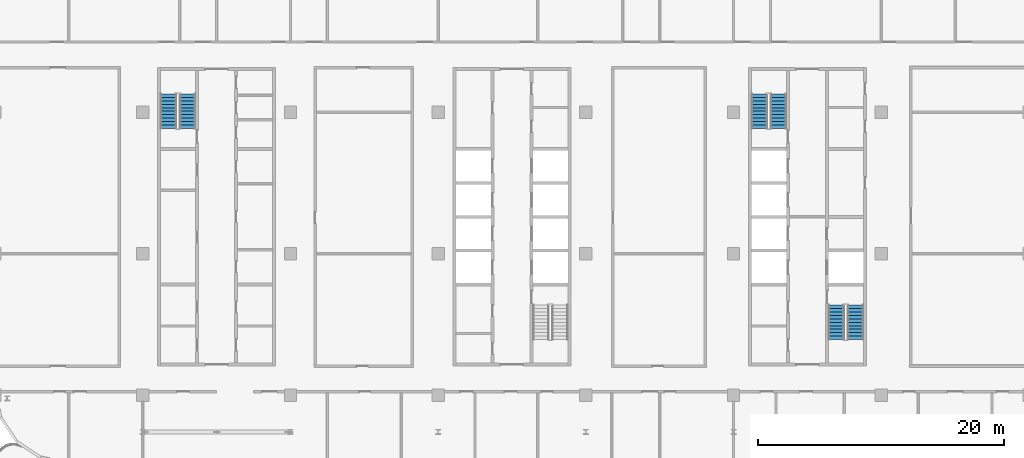
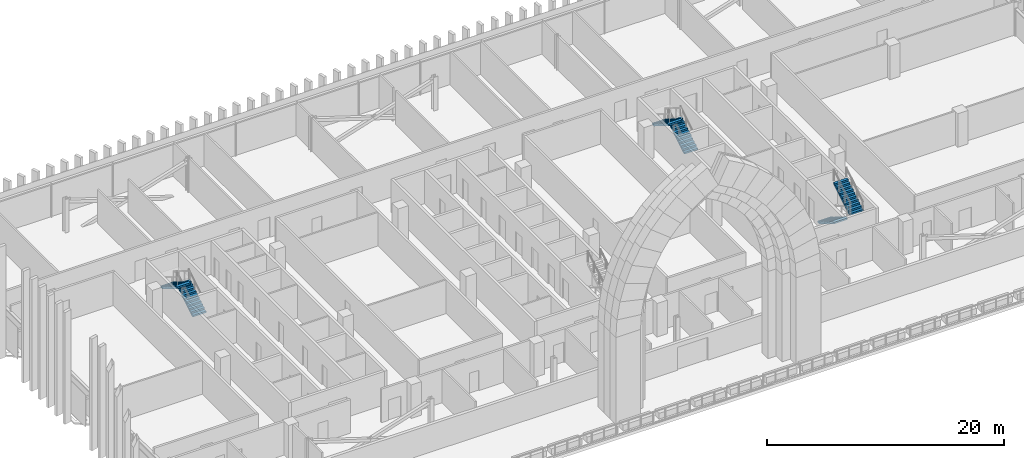
# One storey, part 17 of 30: 6 stair flights, 3 elements without a shape of their own.
"""IFC4 building model written with IfcOpenShell, lengths in metres."""

from ifc_helpers import new_model, si_unit, direction, frame, origin, place, context, subcontext, project, spatial, polyline, outline, extrude, material, type_object, element, aggregate, save


model = new_model("IFC4")

# Units and contexts
model_context = context("Model", 3, precision=1e-05, world=origin(), true_north=direction((0.0, 1.0)))
body_context = subcontext(model_context, "Body", "Model", "MODEL_VIEW")
ifc_project = project(units=[si_unit("LENGTHUNIT", "METRE"), si_unit("AREAUNIT", "SQUARE_METRE"), si_unit("VOLUMEUNIT", "CUBIC_METRE"), si_unit("PLANEANGLEUNIT", "RADIAN"), si_unit("MASSUNIT", "GRAM", prefix="KILO")], contexts=[model_context])

# Site, building, storey
site_placement = place(None, origin())
site = spatial("IfcSite", under=ifc_project, at=site_placement, CompositionType="ELEMENT")
building_placement = place(site_placement, origin())
building = spatial("IfcBuilding", under=site, at=building_placement, Name="Mahtab Terrace Research Tower", CompositionType="ELEMENT")
storey_placement = place(building_placement, frame((0.0, 0.0, 228.60009765625)))
storey = spatial("IfcBuildingStorey", under=building, at=storey_placement, Name="L55", CompositionType="ELEMENT", Elevation=228.60009765625)

# Stair, stair flights
ifc_material_1 = material(Name="Exit stair half-turn")
stair_type = type_object("IfcStairType", Name="Exit stair half-turn", PredefinedType="HALF_TURN_STAIR", material=ifc_material_1)
stair_1_placement = place(storey_placement, origin())
stair_1 = element("IfcStair", 1, at=stair_1_placement, inside=storey, type_object=stair_type, Name="L55 Protected exit stair ST1", PredefinedType="HALF_TURN_STAIR")
ifc_material_2 = material(Name="Concrete C40/50", Category="concrete")
stair_flight_type = type_object("IfcStairFlightType", Name="Exit stair flight 1300", PredefinedType="STRAIGHT", material=ifc_material_2)
stair_flight_1_placement = place(storey_placement, frame((-26.35009765625, 10.175048828125, 0.0), z_axis=(0.0, 0.0, 1.0), x_axis=(0.0, 1.0, 0.0)))
stair_flight_1 = element("IfcStairFlight", 2, at=stair_flight_1_placement, type_object=stair_flight_type, Name="ST1 flight 1", NumberOfRisers=11, NumberOfTreads=10, PredefinedType="STRAIGHT", RiserHeight=0.172727273, TreadLength=0.28, context=body_context, shape_type="SweptSolid", body=[
    extrude(outline(polyline([(0.0, 0.0), (0.0, 0.172607421875), (0.280029296875, 0.172607421875), (0.280029296875, 0.345458984375), (0.56005859375, 0.345458984375), (0.56005859375, 0.51806640625), (0.840087890625, 0.51806640625), (0.840087890625, 0.69091796875), (1.1201171875, 0.69091796875), (1.1201171875, 0.863525390625), (1.39990234375, 0.863525390625), (1.39990234375, 1.036376953125), (1.679931640625, 1.036376953125), (1.679931640625, 1.208984375), (1.9599609375, 1.208984375), (1.9599609375, 1.3818359375), (2.239990234375, 1.3818359375), (2.239990234375, 1.554443359375), (2.52001953125, 1.554443359375), (2.52001953125, 1.727294921875), (2.800048828125, 1.727294921875), (2.800048828125, 1.89990234375), (2.800048828125, 1.551025390625), (0.285400390625, 0.0), (0.0, 0.0)])), frame((0.0, 0.64990234375, 0.0), z_axis=(0.0, -1.0, 0.0), x_axis=(1.0, 0.0, 0.0)), (0.0, 0.0, 1.0), 1.300048828125),
])
stair_flight_2_placement = place(storey_placement, frame((-27.89990234375, 12.97509765625, 1.89990234375), z_axis=(0.0, 0.0, 1.0), x_axis=(0.0, -1.0, 0.0)))
stair_flight_2 = element("IfcStairFlight", 3, at=stair_flight_2_placement, type_object=stair_flight_type, Name="ST1 flight 2", NumberOfRisers=11, NumberOfTreads=10, PredefinedType="STRAIGHT", RiserHeight=0.172727273, TreadLength=0.28, context=body_context, shape_type="SweptSolid", body=[
    extrude(outline(polyline([(0.0, 0.0), (0.0, 0.172607421875), (0.280029296875, 0.172607421875), (0.280029296875, 0.345458984375), (0.56005859375, 0.345458984375), (0.56005859375, 0.51806640625), (0.840087890625, 0.51806640625), (0.840087890625, 0.69091796875), (1.1201171875, 0.69091796875), (1.1201171875, 0.863525390625), (1.39990234375, 0.863525390625), (1.39990234375, 1.036376953125), (1.679931640625, 1.036376953125), (1.679931640625, 1.208984375), (1.9599609375, 1.208984375), (1.9599609375, 1.3818359375), (2.239990234375, 1.3818359375), (2.239990234375, 1.554443359375), (2.52001953125, 1.554443359375), (2.52001953125, 1.727294921875), (2.800048828125, 1.727294921875), (2.800048828125, 1.89990234375), (2.800048828125, 1.551025390625), (0.285400390625, 0.0), (0.0, 0.0)])), frame((0.0, 0.64990234375, 0.0), z_axis=(0.0, -1.0, 0.0), x_axis=(1.0, 0.0, 0.0)), (0.0, 0.0, 1.0), 1.300048828125),
])
aggregate(stair_1, [stair_flight_1, stair_flight_2])

stair_2_placement = place(storey_placement, origin())
stair_2 = element("IfcStair", 4, at=stair_2_placement, inside=storey, type_object=stair_type, Name="L55 Protected exit stair ST3", PredefinedType="HALF_TURN_STAIR")
stair_flight_3_placement = place(storey_placement, frame((21.64990234375, 10.175048828125, 0.0), z_axis=(0.0, 0.0, 1.0), x_axis=(0.0, 1.0, 0.0)))
stair_flight_3 = element("IfcStairFlight", 5, at=stair_flight_3_placement, type_object=stair_flight_type, Name="ST3 flight 1", NumberOfRisers=11, NumberOfTreads=10, PredefinedType="STRAIGHT", RiserHeight=0.172727273, TreadLength=0.28, context=body_context, shape_type="SweptSolid", body=[
    extrude(outline(polyline([(0.0, 0.0), (0.0, 0.172607421875), (0.280029296875, 0.172607421875), (0.280029296875, 0.345458984375), (0.56005859375, 0.345458984375), (0.56005859375, 0.51806640625), (0.840087890625, 0.51806640625), (0.840087890625, 0.69091796875), (1.1201171875, 0.69091796875), (1.1201171875, 0.863525390625), (1.39990234375, 0.863525390625), (1.39990234375, 1.036376953125), (1.679931640625, 1.036376953125), (1.679931640625, 1.208984375), (1.9599609375, 1.208984375), (1.9599609375, 1.3818359375), (2.239990234375, 1.3818359375), (2.239990234375, 1.554443359375), (2.52001953125, 1.554443359375), (2.52001953125, 1.727294921875), (2.800048828125, 1.727294921875), (2.800048828125, 1.89990234375), (2.800048828125, 1.551025390625), (0.285400390625, 0.0), (0.0, 0.0)])), frame((0.0, 0.64990234375, 0.0), z_axis=(0.0, -1.0, 0.0), x_axis=(1.0, 0.0, 0.0)), (0.0, 0.0, 1.0), 1.300048828125),
])
stair_flight_4_placement = place(storey_placement, frame((20.10009765625, 12.97509765625, 1.89990234375), z_axis=(0.0, 0.0, 1.0), x_axis=(0.0, -1.0, 0.0)))
stair_flight_4 = element("IfcStairFlight", 6, at=stair_flight_4_placement, type_object=stair_flight_type, Name="ST3 flight 2", NumberOfRisers=11, NumberOfTreads=10, PredefinedType="STRAIGHT", RiserHeight=0.172727273, TreadLength=0.28, context=body_context, shape_type="SweptSolid", body=[
    extrude(outline(polyline([(0.0, 0.0), (0.0, 0.172607421875), (0.280029296875, 0.172607421875), (0.280029296875, 0.345458984375), (0.56005859375, 0.345458984375), (0.56005859375, 0.51806640625), (0.840087890625, 0.51806640625), (0.840087890625, 0.69091796875), (1.1201171875, 0.69091796875), (1.1201171875, 0.863525390625), (1.39990234375, 0.863525390625), (1.39990234375, 1.036376953125), (1.679931640625, 1.036376953125), (1.679931640625, 1.208984375), (1.9599609375, 1.208984375), (1.9599609375, 1.3818359375), (2.239990234375, 1.3818359375), (2.239990234375, 1.554443359375), (2.52001953125, 1.554443359375), (2.52001953125, 1.727294921875), (2.800048828125, 1.727294921875), (2.800048828125, 1.89990234375), (2.800048828125, 1.551025390625), (0.285400390625, 0.0), (0.0, 0.0)])), frame((0.0, 0.64990234375, 0.0), z_axis=(0.0, -1.0, 0.0), x_axis=(1.0, 0.0, 0.0)), (0.0, 0.0, 1.0), 1.300048828125),
])
aggregate(stair_2, [stair_flight_3, stair_flight_4])

stair_3_placement = place(storey_placement, origin())
stair_3 = element("IfcStair", 7, at=stair_3_placement, inside=storey, type_object=stair_type, Name="L55 Protected exit stair ST4", PredefinedType="HALF_TURN_STAIR")
stair_flight_5_placement = place(storey_placement, frame((26.35009765625, -4.175048828125, 0.0), z_axis=(0.0, 0.0, 1.0), x_axis=(0.0, -1.0, 0.0)))
stair_flight_5 = element("IfcStairFlight", 8, at=stair_flight_5_placement, type_object=stair_flight_type, Name="ST4 flight 1", NumberOfRisers=11, NumberOfTreads=10, PredefinedType="STRAIGHT", RiserHeight=0.172727273, TreadLength=0.28, context=body_context, shape_type="SweptSolid", body=[
    extrude(outline(polyline([(0.0, 0.0), (0.0, 0.172607421875), (0.280029296875, 0.172607421875), (0.280029296875, 0.345458984375), (0.56005859375, 0.345458984375), (0.56005859375, 0.51806640625), (0.840087890625, 0.51806640625), (0.840087890625, 0.69091796875), (1.1201171875, 0.69091796875), (1.1201171875, 0.863525390625), (1.39990234375, 0.863525390625), (1.39990234375, 1.036376953125), (1.679931640625, 1.036376953125), (1.679931640625, 1.208984375), (1.9599609375, 1.208984375), (1.9599609375, 1.3818359375), (2.239990234375, 1.3818359375), (2.239990234375, 1.554443359375), (2.52001953125, 1.554443359375), (2.52001953125, 1.727294921875), (2.800048828125, 1.727294921875), (2.800048828125, 1.89990234375), (2.800048828125, 1.551025390625), (0.285400390625, 0.0), (0.0, 0.0)])), frame((0.0, 0.64990234375, 0.0), z_axis=(0.0, -1.0, 0.0), x_axis=(1.0, 0.0, 0.0)), (0.0, 0.0, 1.0), 1.300048828125),
])
stair_flight_6_placement = place(storey_placement, frame((27.89990234375, -6.97509765625, 1.89990234375), z_axis=(0.0, 0.0, 1.0), x_axis=(0.0, 1.0, 0.0)))
stair_flight_6 = element("IfcStairFlight", 9, at=stair_flight_6_placement, type_object=stair_flight_type, Name="ST4 flight 2", NumberOfRisers=11, NumberOfTreads=10, PredefinedType="STRAIGHT", RiserHeight=0.172727273, TreadLength=0.28, context=body_context, shape_type="SweptSolid", body=[
    extrude(outline(polyline([(0.0, 0.0), (0.0, 0.172607421875), (0.280029296875, 0.172607421875), (0.280029296875, 0.345458984375), (0.56005859375, 0.345458984375), (0.56005859375, 0.51806640625), (0.840087890625, 0.51806640625), (0.840087890625, 0.69091796875), (1.1201171875, 0.69091796875), (1.1201171875, 0.863525390625), (1.39990234375, 0.863525390625), (1.39990234375, 1.036376953125), (1.679931640625, 1.036376953125), (1.679931640625, 1.208984375), (1.9599609375, 1.208984375), (1.9599609375, 1.3818359375), (2.239990234375, 1.3818359375), (2.239990234375, 1.554443359375), (2.52001953125, 1.554443359375), (2.52001953125, 1.727294921875), (2.800048828125, 1.727294921875), (2.800048828125, 1.89990234375), (2.800048828125, 1.551025390625), (0.285400390625, 0.0), (0.0, 0.0)])), frame((0.0, 0.64990234375, 0.0), z_axis=(0.0, -1.0, 0.0), x_axis=(1.0, 0.0, 0.0)), (0.0, 0.0, 1.0), 1.300048828125),
])
aggregate(stair_3, [stair_flight_5, stair_flight_6])

save(model, "model.ifc")
